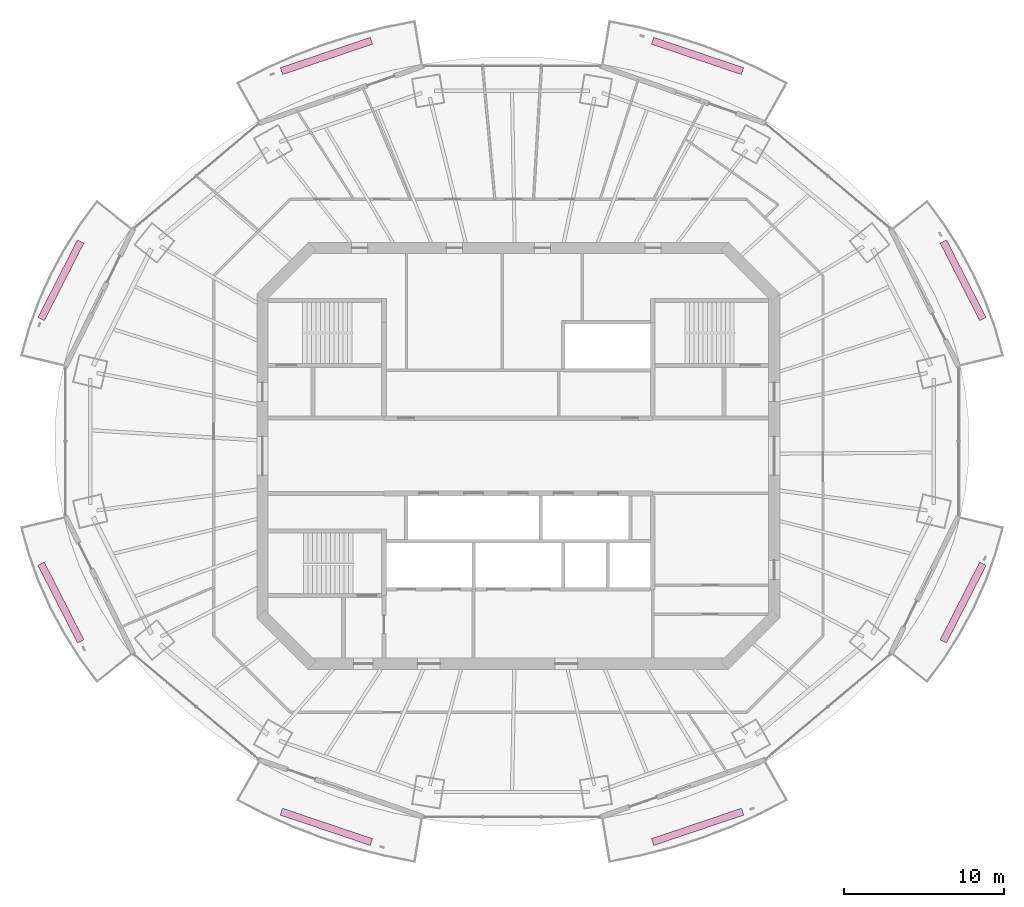
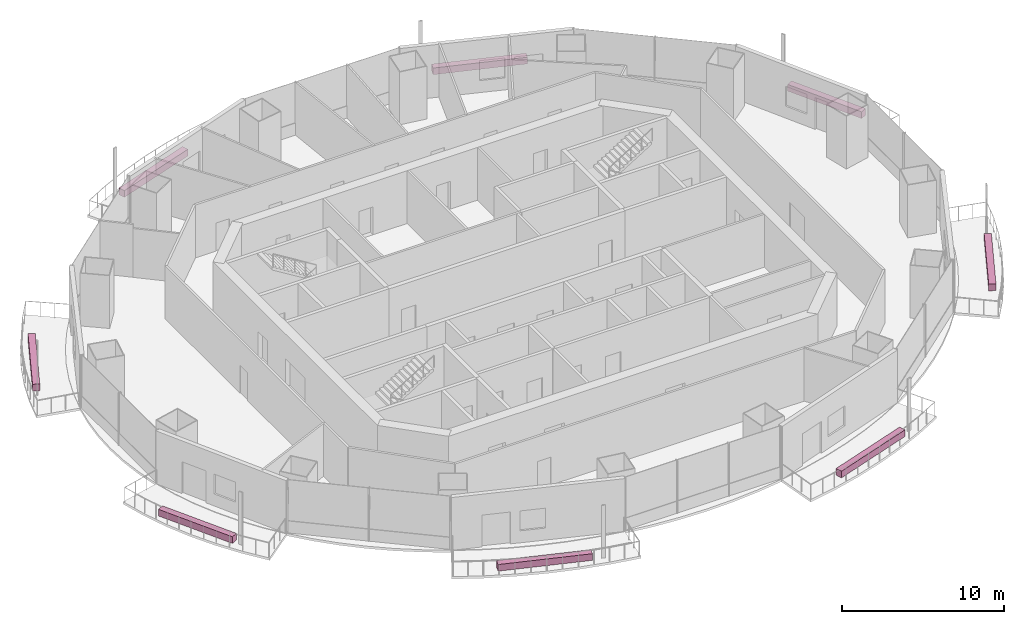
# One storey, part 16 of 16: 8 furnishings.
"""IFC4 building model written with IfcOpenShell, lengths in metres."""

from ifc_helpers import new_model, si_unit, direction, frame, origin, origin_2d, place, context, subcontext, project, spatial, rectangle, extrude, material, type_object, element, save


model = new_model("IFC4")

# Units and contexts
model_context = context("Model", 3, precision=1e-05, world=origin(), true_north=direction((0.0, 1.0)))
body_context = subcontext(model_context, "Body", "Model", "MODEL_VIEW")
ifc_project = project(units=[si_unit("LENGTHUNIT", "METRE"), si_unit("AREAUNIT", "SQUARE_METRE"), si_unit("VOLUMEUNIT", "CUBIC_METRE"), si_unit("PLANEANGLEUNIT", "RADIAN"), si_unit("MASSUNIT", "GRAM", prefix="KILO")], contexts=[model_context])

# Site, building, storey
site_placement = place(None, origin())
site = spatial("IfcSite", under=ifc_project, at=site_placement, CompositionType="ELEMENT")
building_placement = place(site_placement, origin())
building = spatial("IfcBuilding", under=site, at=building_placement, Name="Marenthal Gate Tower", CompositionType="ELEMENT")
storey_placement = place(building_placement, frame((0.0, 0.0, 305.25)))
storey = spatial("IfcBuildingStorey", under=building, at=storey_placement, Name="L68", CompositionType="ELEMENT", Elevation=305.25)

# Furnishings
ifc_material = material(Name="Planting soil and foliage", Category="planting")
furnishing_element_type = type_object("IfcFurnishingElementType", Name="Balcony PLANTER trough", material=ifc_material)
furnishing_1_placement = place(storey_placement, frame((27.814208984375, 10.977783203125, -0.0400390625), z_axis=(0.0, 0.0, 1.0), x_axis=(-0.454321368987, 0.890837860489, 0.0)))
element("IfcFurnishingElement", 1, at=furnishing_1_placement, inside=storey, type_object=furnishing_element_type, Name="Balcony PLANTER L68 bay 1", ObjectType="PLANTER", context=body_context, shape_type="SweptSolid", body=[
    extrude(rectangle(XDim=5.44287109375, YDim=0.449951171875, at=origin_2d()), origin(), (0.0, 0.0, 1.0), 0.5),
])
for number, where, z_axis, x_axis, name in (
    (2, (11.20703125, 25.008056640625, -0.0400390625), (0.0, 0.0, 1.0), (-0.947447903765, 0.3199100962, 0.0), "Balcony PLANTER L68 bay 3"),
    (3, (-12.007080078125, 25.008056640625, -0.0400390625), (0.0, 0.0, 1.0), (-0.947447903765, -0.3199100962, 0.0), "Balcony PLANTER L68 bay 5"),
):
    element("IfcFurnishingElement", number, at=place(storey_placement, frame(where, z_axis=z_axis, x_axis=x_axis)), inside=storey, type_object=furnishing_element_type, Name=name, ObjectType="PLANTER", context=body_context, shape_type="SweptSolid", body=[
        extrude(rectangle(XDim=5.9404296875, YDim=0.449951171875, at=origin_2d()), origin(), (0.0, 0.0, 1.0), 0.5),
    ])
for number, where, z_axis, x_axis, name in (
    (4, (-28.6142578125, 10.977783203125, -0.0400390625), (0.0, 0.0, 1.0), (-0.454321368987, -0.890837860489, 0.0), "Balcony PLANTER L68 bay 7"),
    (5, (-28.6142578125, -9.177734375, -0.0400390625), (0.0, 0.0, 1.0), (0.454321368987, -0.890837860489, 0.0), "Balcony PLANTER L68 bay 9"),
):
    element("IfcFurnishingElement", number, at=place(storey_placement, frame(where, z_axis=z_axis, x_axis=x_axis)), inside=storey, type_object=furnishing_element_type, Name=name, ObjectType="PLANTER", context=body_context, shape_type="SweptSolid", body=[
        extrude(rectangle(XDim=5.44287109375, YDim=0.449951171875, at=origin_2d()), origin(), (0.0, 0.0, 1.0), 0.5),
    ])
for number, where, z_axis, x_axis, name in (
    (6, (-12.007080078125, -23.2080078125, -0.0400390625), (0.0, 0.0, 1.0), (0.947447903765, -0.3199100962, 0.0), "Balcony PLANTER L68 bay 11"),
    (7, (11.20703125, -23.2080078125, -0.0400390625), (0.0, 0.0, 1.0), (0.947447903765, 0.3199100962, 0.0), "Balcony PLANTER L68 bay 13"),
):
    element("IfcFurnishingElement", number, at=place(storey_placement, frame(where, z_axis=z_axis, x_axis=x_axis)), inside=storey, type_object=furnishing_element_type, Name=name, ObjectType="PLANTER", context=body_context, shape_type="SweptSolid", body=[
        extrude(rectangle(XDim=5.9404296875, YDim=0.449951171875, at=origin_2d()), origin(), (0.0, 0.0, 1.0), 0.5),
    ])
furnishing_2_placement = place(storey_placement, frame((27.814208984375, -9.177734375, -0.0400390625), z_axis=(0.0, 0.0, 1.0), x_axis=(0.454321368987, 0.890837860489, 0.0)))
element("IfcFurnishingElement", 8, at=furnishing_2_placement, inside=storey, type_object=furnishing_element_type, Name="Balcony PLANTER L68 bay 15", ObjectType="PLANTER", context=body_context, shape_type="SweptSolid", body=[
    extrude(rectangle(XDim=5.44287109375, YDim=0.449951171875, at=origin_2d()), origin(), (0.0, 0.0, 1.0), 0.5),
])

save(model, "model.ifc")
